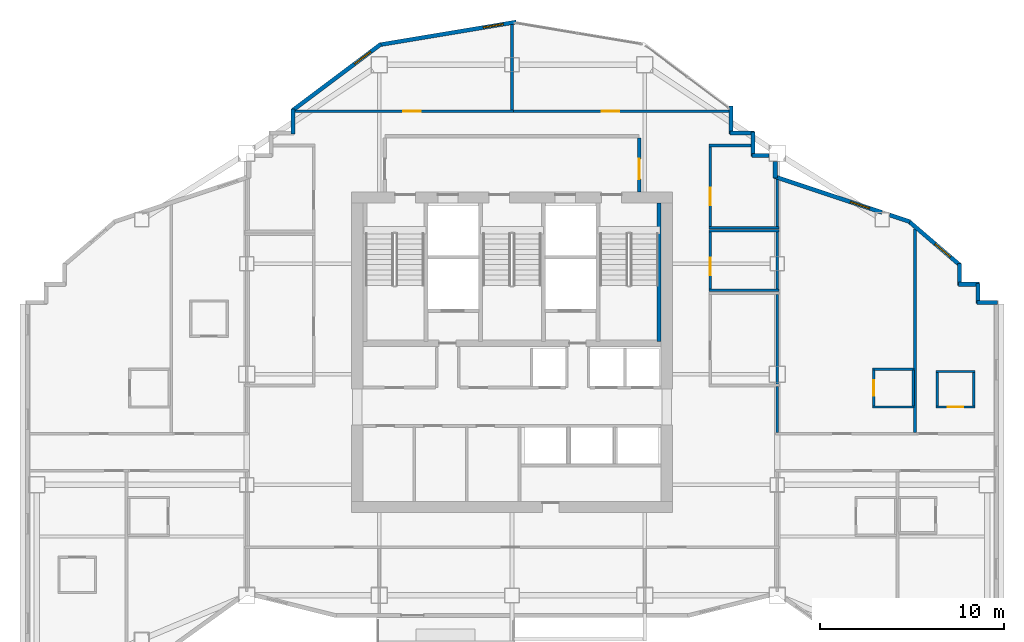
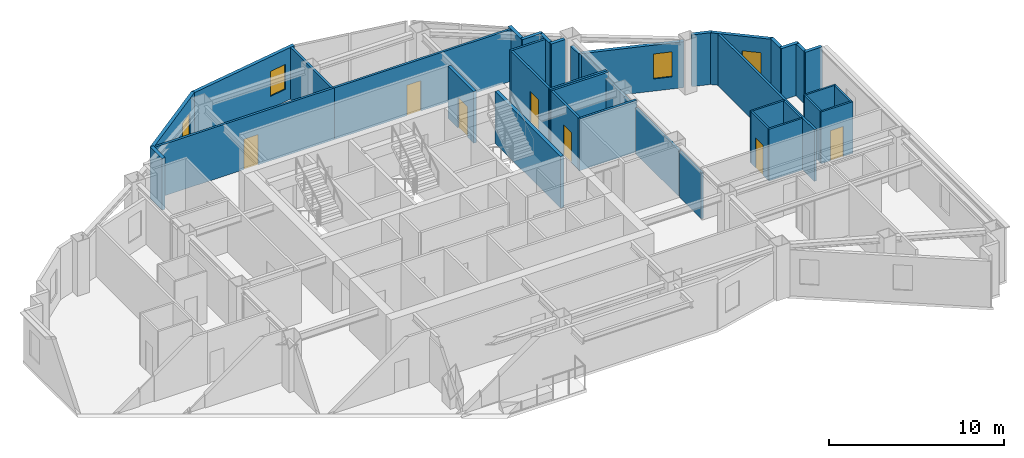
# One storey, part 8 of 12: 39 walls, 7 doors, 4 windows, 11 openings.
"""IFC4 building model written with IfcOpenShell, lengths in metres."""

import ifcopenshell
import ifcopenshell.guid

model = None  # the IFC model being written
_history = None  # IfcOwnerHistory: only IFC2X3 demands one
_inside = {}  # id of a spatial element -> (the spatial element, [elements in it])
_under = {}  # id of a project, library or spatial element -> (it, [spatial elements below it])
_declared = {}  # id of a project -> (the project, [libraries it declares])
_typed = {}  # id of a type object -> (the type object, [elements of that type])
_made_of = {}  # id of a material, layer set ... -> (it, [elements and type objects made of it])


def new_model(schema):
    """Start an empty IFC model of exactly this schema.

    Asked for "IFC4X3", IfcOpenShell would pick the latest addendum, in which some entities
    have other attributes; the version numbers below select the first issue.
    IFC2X3 requires an IfcOwnerHistory on every rooted entity: one is made here for all.
    """
    global model, _history
    if schema == "IFC4X3":
        model = ifcopenshell.file(schema_version=(4, 3, 0, 0))
    else:
        model = ifcopenshell.file(schema=schema)
    _inside.clear()
    _under.clear()
    _declared.clear()
    _typed.clear()
    _made_of.clear()
    _history = None
    if model.schema == "IFC2X3":
        org = make("IfcOrganization", Name="unknown")
        user = make(
            "IfcPersonAndOrganization",
            ThePerson=make("IfcPerson", FamilyName="unknown"),
            TheOrganization=org,
        )
        app = make(
            "IfcApplication",
            ApplicationDeveloper=org,
            Version="unknown",
            ApplicationFullName="unknown",
            ApplicationIdentifier="unknown",
        )
        _history = make(
            "IfcOwnerHistory",
            OwningUser=user,
            OwningApplication=app,
            ChangeAction="ADDED",
            CreationDate=0,
        )
    return model


def make(cls, **values):
    """One entity of the class cls with the attributes given. An attribute that is None is left unset."""
    return model.create_entity(
        cls, **{name: value for name, value in values.items() if value is not None}
    )


def rooted(cls, **values):
    """An entity with a GlobalId (a new one), such as an element, a storey or a relation."""
    return make(cls, GlobalId=ifcopenshell.guid.new(), OwnerHistory=_history, **values)


def si_unit(unit_type, name, prefix=None):
    """IfcSIUnit, for example si_unit("LENGTHUNIT", "METRE", prefix="MILLI")."""
    return make("IfcSIUnit", UnitType=unit_type, Prefix=prefix, Name=name)


def assignment(units):
    """IfcUnitAssignment: the units of a project."""
    return None if units is None else make("IfcUnitAssignment", Units=units)


def point(xyz):
    """IfcCartesianPoint."""
    return None if xyz is None else make("IfcCartesianPoint", Coordinates=xyz)


def direction(xyz):
    """IfcDirection."""
    return None if xyz is None else make("IfcDirection", DirectionRatios=xyz)


def frame(location, z_axis=None, x_axis=None):
    """IfcAxis2Placement3D, a coordinate frame: its origin and axes. An axis left out is left unset."""
    return make(
        "IfcAxis2Placement3D",
        Location=point(location),
        Axis=direction(z_axis),
        RefDirection=direction(x_axis),
    )


def frame_2d(location, x_axis=None):
    """IfcAxis2Placement2D, a coordinate frame in the plane: its origin and x axis."""
    return make(
        "IfcAxis2Placement2D", Location=point(location), RefDirection=direction(x_axis)
    )


def origin():
    """The frame at (0, 0, 0) with its axes left unset."""
    return frame((0.0, 0.0, 0.0))


def place(relative_to, where):
    """IfcLocalPlacement: puts the frame where relative to a parent placement (None: the world)."""
    return make(
        "IfcLocalPlacement", PlacementRelTo=relative_to, RelativePlacement=where
    )


def context(
    kind, dimensions, precision=None, world=None, true_north=None, identifier=None
):
    """IfcGeometricRepresentationContext, for example the 3D "Model" context."""
    return make(
        "IfcGeometricRepresentationContext",
        ContextIdentifier=identifier,
        ContextType=kind,
        CoordinateSpaceDimension=dimensions,
        Precision=precision,
        WorldCoordinateSystem=world,
        TrueNorth=true_north,
    )


def subcontext(parent, identifier, kind, view, scale=None):
    """IfcGeometricRepresentationSubContext, for example "Body" below "Model"."""
    return make(
        "IfcGeometricRepresentationSubContext",
        ContextIdentifier=identifier,
        ContextType=kind,
        ParentContext=parent,
        TargetScale=scale,
        TargetView=view,
    )


def project(units=None, contexts=None):
    """IfcProject with its units and contexts."""
    return rooted(
        "IfcProject",
        Name="project",
        RepresentationContexts=contexts,
        UnitsInContext=assignment(units),
    )


def spatial(cls, under=None, at=None, **own):
    """A site, building, storey or space (cls), placed at a placement, below another one or the project."""
    s = rooted(cls, ObjectPlacement=at, **own)
    if under is not None:
        _under.setdefault(under.id(), (under, []))[1].append(s)
    return s


def profile(cls, at=None, kind="AREA", **sizes):
    """A parametric profile (cls). Its sizes go by their IFC names, for example OverallWidth=200.0."""
    return make(cls, ProfileType=kind, Position=at, **sizes)


def rectangle(**sizes):
    """IfcRectangleProfileDef."""
    return profile("IfcRectangleProfileDef", **sizes)


def extrude(swept, where, along, depth):
    """IfcExtrudedAreaSolid: the profile swept, set in the frame where, extruded along a direction by depth."""
    return make(
        "IfcExtrudedAreaSolid",
        SweptArea=swept,
        Position=where,
        ExtrudedDirection=direction(along),
        Depth=depth,
    )


def shape(context_of_items, identifier, shape_type, items):
    """IfcShapeRepresentation: the items that make up one representation, for example the "Body"."""
    return make(
        "IfcShapeRepresentation",
        ContextOfItems=context_of_items,
        RepresentationIdentifier=identifier,
        RepresentationType=shape_type,
        Items=items,
    )


def material(Name=None, Category=None):
    """IfcMaterial."""
    return make("IfcMaterial", Name=Name, Category=Category)


def layer(
    of_material, thickness, ventilated=None, Name=None, Category=None, Priority=None
):
    """IfcMaterialLayer: one layer of a wall or slab, of a material (None: an air gap)."""
    return make(
        "IfcMaterialLayer",
        Material=of_material,
        LayerThickness=thickness,
        IsVentilated=ventilated,
        Name=Name,
        Category=Category,
        Priority=Priority,
    )


def layer_set(layers, Name=None):
    """IfcMaterialLayerSet."""
    return make("IfcMaterialLayerSet", MaterialLayers=layers, LayerSetName=Name)


def made_of(thing, what):
    """Note that an element or type object is made of a material, layer set ...; save() writes the relation."""
    if what is not None:
        _made_of.setdefault(what.id(), (what, []))[1].append(thing)
    return thing


def type_object(cls, material=None, **own):
    """A type object (cls), such as IfcWallType, which elements share."""
    return made_of(rooted(cls, **own), material)


def element(
    cls,
    number,
    at=None,
    inside=None,
    cuts=None,
    type_object=None,
    material=None,
    context=None,
    identifier="Body",
    shape_type=None,
    held_by="IfcProductDefinitionShape",
    body=None,
    shapes=None,
    **own,
):
    """One element of the class cls, such as IfcWall. Its Tag is "e" and its number.

    at: its placement. inside: the storey or other place that contains it. cuts: it is an
    opening in that element (IfcRelVoidsElement). A single representation is given by context,
    identifier, shape_type and body (its items); several are given by shapes. held_by: the class
    of the entity that holds the representations. save() writes the other relations.
    """
    e = rooted(cls, Tag="e%d" % number, ObjectPlacement=at, **own)
    if body is not None:
        shapes = [shape(context, identifier, shape_type, body)]
    if shapes is not None:
        e.Representation = make(held_by, Representations=shapes)
    if inside is not None:
        _inside.setdefault(inside.id(), (inside, []))[1].append(e)
    if cuts is not None:
        rooted(
            "IfcRelVoidsElement", RelatingBuildingElement=cuts, RelatedOpeningElement=e
        )
    if type_object is not None:
        _typed.setdefault(type_object.id(), (type_object, []))[1].append(e)
    return made_of(e, material)


def fill(opening, filler):
    """IfcRelFillsElement: the door or window that sits in an opening."""
    return rooted(
        "IfcRelFillsElement",
        RelatingOpeningElement=opening,
        RelatedBuildingElement=filler,
    )


def aggregate(whole, parts):
    """IfcRelAggregates: a whole, such as a stair, and the parts it consists of."""
    return rooted("IfcRelAggregates", RelatingObject=whole, RelatedObjects=parts)


def save(model, path):
    """Write the relations noted so far, then the file.

    IfcRelAggregates (storeys below a building ...), IfcRelContainedInSpatialStructure (elements
    in a storey), IfcRelDefinesByType, IfcRelAssociatesMaterial and IfcRelDeclares: one each for
    every whole, place, type object, material and project.
    """
    for whole, parts in _under.values():
        aggregate(whole, parts)
    for where, things in _inside.values():
        rooted(
            "IfcRelContainedInSpatialStructure",
            RelatedElements=things,
            RelatingStructure=where,
        )
    for kind, things in _typed.values():
        rooted("IfcRelDefinesByType", RelatedObjects=things, RelatingType=kind)
    for what, things in _made_of.values():
        rooted("IfcRelAssociatesMaterial", RelatedObjects=things, RelatingMaterial=what)
    for by, libraries in _declared.values():
        rooted("IfcRelDeclares", RelatingContext=by, RelatedDefinitions=libraries)
    model.write(path)


model = new_model("IFC4")

# Units and contexts
model_context = context("Model", 3, precision=1e-05, world=origin(), true_north=direction((0.0, 1.0)))
body_context = subcontext(model_context, "Body", "Model", "MODEL_VIEW")
ifc_project = project(units=[si_unit("LENGTHUNIT", "METRE"), si_unit("AREAUNIT", "SQUARE_METRE"), si_unit("VOLUMEUNIT", "CUBIC_METRE"), si_unit("PLANEANGLEUNIT", "RADIAN"), si_unit("MASSUNIT", "GRAM", prefix="KILO")], contexts=[model_context])

# Site, building, storey
site_placement = place(None, origin())
site = spatial("IfcSite", under=ifc_project, at=site_placement, CompositionType="ELEMENT")
building_placement = place(site_placement, origin())
building = spatial("IfcBuilding", under=site, at=building_placement, Name="Haolan Belvedere Tower", CompositionType="ELEMENT")
storey_placement = place(building_placement, frame((0.0, 0.0, 184.199951171875)))
storey = spatial("IfcBuildingStorey", under=building, at=storey_placement, Name="L46", CompositionType="ELEMENT", Elevation=184.199951171875)

# Walls
ifc_material_1 = material(Name="Precast concrete C40/50", Category="concrete")
ifc_layer_1 = layer(ifc_material_1, 0.219970703125, Name="Precast concrete C40/50")
ifc_layer_set_1 = layer_set([ifc_layer_1], Name="Precast concrete C40/50")
wall_type_1 = type_object("IfcWallType", Name="WL-EXT-220", PredefinedType="SOLIDWALL", material=ifc_layer_set_1)
wall_1_placement = place(storey_placement, frame((64.7451171875, 37.489990234375, 0.0), z_axis=(0.0, 0.0, 1.0), x_axis=(-1.0, 0.0, 0.0)))
element("IfcWall", 1, at=wall_1_placement, inside=storey, type_object=wall_type_1, Name="L46 pale-metal exterior spandrel wall 9.1", PredefinedType="SOLIDWALL", context=body_context, shape_type="SweptSolid", body=[
    extrude(rectangle(XDim=1.110107421875, YDim=0.219970703125, at=frame_2d((0.55517578125, 0.0))), origin(), (0.0, 0.0, 1.0), 3.6201171875),
])
wall_2_placement = place(storey_placement, frame((63.68994140625, 37.43505859375, 0.0), z_axis=(0.0, 0.0, 1.0), x_axis=(0.0, 1.0, 0.0)))
element("IfcWall", 2, at=wall_2_placement, inside=storey, type_object=wall_type_1, Name="L46 pale-metal exterior spandrel wall 10.1", PredefinedType="SOLIDWALL", context=body_context, shape_type="SweptSolid", body=[
    extrude(rectangle(XDim=1.10986328125, YDim=0.219970703125, at=frame_2d((0.554931640625, 0.0))), origin(), (0.0, 0.0, 1.0), 3.6201171875),
])
wall_3_placement = place(storey_placement, frame((63.7451171875, 38.489990234375, 0.0), z_axis=(0.0, 0.0, 1.0), x_axis=(-1.0, 0.0, 0.0)))
element("IfcWall", 3, at=wall_3_placement, inside=storey, type_object=wall_type_1, Name="L46 pale-metal exterior spandrel wall 11.1", PredefinedType="SOLIDWALL", context=body_context, shape_type="SweptSolid", body=[
    extrude(rectangle(XDim=1.110107421875, YDim=0.219970703125, at=frame_2d((0.55517578125, 0.0))), origin(), (0.0, 0.0, 1.0), 3.6201171875),
])
wall_4_placement = place(storey_placement, frame((62.68994140625, 38.43505859375, 0.0), z_axis=(0.0, 0.0, 1.0), x_axis=(0.0, 1.0, 0.0)))
element("IfcWall", 4, at=wall_4_placement, inside=storey, type_object=wall_type_1, Name="L46 pale-metal exterior spandrel wall 12.1", PredefinedType="SOLIDWALL", context=body_context, shape_type="SweptSolid", body=[
    extrude(rectangle(XDim=1.16943359375, YDim=0.219970703125, at=frame_2d((0.584716796875, 0.0))), origin(), (0.0, 0.0, 1.0), 3.6201171875),
])

# Wall, opening, window
wall_5_placement = place(storey_placement, frame((62.731689453125, 39.513671875, 0.0), z_axis=(0.0, 0.0, 1.0), x_axis=(-0.759251976569, 0.65079677018, 0.0)))
wall_5 = element("IfcWall", 5, at=wall_5_placement, inside=storey, type_object=wall_type_1, Name="L46 pale-metal exterior spandrel wall 13.1", PredefinedType="SOLIDWALL", context=body_context, shape_type="SweptSolid", body=[
    extrude(rectangle(XDim=3.7255859375, YDim=0.219970703125, at=frame_2d((1.86279296875, 0.0))), origin(), (0.0, 0.0, 1.0), 3.6201171875),
])
opening_1_placement = place(wall_5_placement, frame((0.699951171875, 0.0, 0.85009765625)))
opening_1 = element("IfcOpeningElement", 6, at=opening_1_placement, cuts=wall_5, Name="Opening W-03", PredefinedType="OPENING", context=body_context, shape_type="SweptSolid", body=[
    extrude(rectangle(XDim=1.10009765625, YDim=1.75, at=frame_2d((0.550048828125, 0.875))), frame((0.0, 0.119873046875, 0.0), z_axis=(0.0, -1.0, 0.0), x_axis=(1.0, 0.0, 0.0)), (0.0, 0.0, 1.0), 0.239990234375),
])
ifc_material_2 = material(Name="Anodised aluminium 6063-T6 and Low-E glass", Category="aluminium")
window_type = type_object("IfcWindowType", Name="WN-DECO-Z3", PartitioningType="SINGLE_PANEL", PredefinedType="WINDOW", material=ifc_material_2)
window_1_placement = place(opening_1_placement, origin())
window_1 = element("IfcWindow", 7, at=window_1_placement, inside=storey, type_object=window_type, Name="L46 Art Deco chevron window 1", OverallHeight=1.75, OverallWidth=1.10009765625, PartitioningType="SINGLE_PANEL", PredefinedType="WINDOW", context=body_context, shape_type="SweptSolid", body=[
    extrude(rectangle(XDim=1.10009765625, YDim=1.75, at=frame_2d((0.550048828125, 0.875))), frame((0.0, 0.030029296875, 0.0), z_axis=(0.0, -1.0, 0.0), x_axis=(1.0, 0.0, 0.0)), (0.0, 0.0, 1.0), 0.06005859375),
])
fill(opening_1, window_1)

# Wall
wall_6_placement = place(storey_placement, frame((59.9970703125, 41.885009765625, 0.0), z_axis=(0.0, 0.0, 1.0), x_axis=(-0.948662335685, 0.316290646166, 0.0)))
element("IfcWall", 8, at=wall_6_placement, inside=storey, type_object=wall_type_1, Name="L46 pale-metal exterior spandrel wall 14.1", PredefinedType="SOLIDWALL", context=body_context, shape_type="SweptSolid", body=[
    extrude(rectangle(XDim=1.164794921875, YDim=0.219970703125, at=frame_2d((0.58251953125, 0.0))), origin(), (0.0, 0.0, 1.0), 3.6201171875),
])

# Wall, opening, window
wall_7_placement = place(storey_placement, frame((58.476318359375, 42.39208984375, 0.0), z_axis=(0.0, 0.0, 1.0), x_axis=(-0.948691231611, 0.316203964339, 0.0)))
wall_7 = element("IfcWall", 9, at=wall_7_placement, inside=storey, type_object=wall_type_1, Name="L46 pale-metal exterior spandrel wall 14.2", PredefinedType="SOLIDWALL", context=body_context, shape_type="SweptSolid", body=[
    extrude(rectangle(XDim=6.154296875, YDim=0.219970703125, at=frame_2d((3.0771484375, 0.0))), origin(), (0.0, 0.0, 1.0), 3.215087890625),
])
opening_2_placement = place(wall_7_placement, frame((0.699951171875, 0.0, 0.85009765625)))
opening_2 = element("IfcOpeningElement", 10, at=opening_2_placement, cuts=wall_7, Name="Opening W-03", PredefinedType="OPENING", context=body_context, shape_type="SweptSolid", body=[
    extrude(rectangle(XDim=1.10009765625, YDim=1.75, at=frame_2d((0.550048828125, 0.875))), frame((0.0, 0.119873046875, 0.0), z_axis=(0.0, -1.0, 0.0), x_axis=(1.0, 0.0, 0.0)), (0.0, 0.0, 1.0), 0.239990234375),
])
window_2_placement = place(opening_2_placement, origin())
window_2 = element("IfcWindow", 11, at=window_2_placement, inside=storey, type_object=window_type, Name="L46 Art Deco chevron window 1", OverallHeight=1.75, OverallWidth=1.10009765625, PartitioningType="SINGLE_PANEL", PredefinedType="WINDOW", context=body_context, shape_type="SweptSolid", body=[
    extrude(rectangle(XDim=1.10009765625, YDim=1.75, at=frame_2d((0.550048828125, 0.875))), frame((0.0, 0.030029296875, 0.0), z_axis=(0.0, -1.0, 0.0), x_axis=(1.0, 0.0, 0.0)), (0.0, 0.0, 1.0), 0.06005859375),
])
fill(opening_2, window_2)

# Walls
wall_8_placement = place(storey_placement, frame((52.68994140625, 44.265625, 0.0), z_axis=(0.0, 0.0, 1.0), x_axis=(0.0, 1.0, 0.0)))
element("IfcWall", 12, at=wall_8_placement, inside=storey, type_object=wall_type_1, Name="L46 pale-metal exterior spandrel wall 15.1", PredefinedType="SOLIDWALL", context=body_context, shape_type="SweptSolid", body=[
    extrude(rectangle(XDim=0.892333984375, YDim=0.219970703125, at=frame_2d((0.4462890625, 0.0))), origin(), (0.0, 0.0, 1.0), 3.215087890625),
])
wall_9_placement = place(storey_placement, frame((52.35791015625, 45.489990234375, 0.0), z_axis=(0.0, 0.0, 1.0), x_axis=(-1.0, 0.0, 0.0)))
element("IfcWall", 13, at=wall_9_placement, inside=storey, type_object=wall_type_1, Name="L46 pale-metal exterior spandrel wall 16.1", PredefinedType="SOLIDWALL", context=body_context, shape_type="SweptSolid", body=[
    extrude(rectangle(XDim=0.9228515625, YDim=0.219970703125, at=frame_2d((0.46142578125, 0.0))), origin(), (0.0, 0.0, 1.0), 3.6201171875),
])
wall_10_placement = place(storey_placement, frame((51.489990234375, 45.43505859375, 0.0), z_axis=(0.0, 0.0, 1.0), x_axis=(0.0, 1.0, 0.0)))
element("IfcWall", 14, at=wall_10_placement, inside=storey, type_object=wall_type_1, Name="L46 pale-metal exterior spandrel wall 17.1", PredefinedType="SOLIDWALL", context=body_context, shape_type="SweptSolid", body=[
    extrude(rectangle(XDim=1.31005859375, YDim=0.219970703125, at=frame_2d((0.655029296875, 0.0))), origin(), (0.0, 0.0, 1.0), 3.6201171875),
])
wall_11_placement = place(storey_placement, frame((51.544921875, 46.68994140625, 0.0), z_axis=(0.0, 0.0, 1.0), x_axis=(-1.0, 0.0, 0.0)))
element("IfcWall", 15, at=wall_11_placement, inside=storey, type_object=wall_type_1, Name="L46 pale-metal exterior spandrel wall 18.1", PredefinedType="SOLIDWALL", context=body_context, shape_type="SweptSolid", body=[
    extrude(rectangle(XDim=1.309814453125, YDim=0.219970703125, at=frame_2d((0.65478515625, 0.0))), origin(), (0.0, 0.0, 1.0), 3.6201171875),
])
wall_12_placement = place(storey_placement, frame((50.2900390625, 46.635009765625, 0.0), z_axis=(0.0, 0.0, 1.0), x_axis=(0.0, 1.0, 0.0)))
element("IfcWall", 16, at=wall_12_placement, inside=storey, type_object=wall_type_1, Name="L46 pale-metal exterior spandrel wall 19.1", PredefinedType="SOLIDWALL", context=body_context, shape_type="SweptSolid", body=[
    extrude(rectangle(XDim=1.534912109375, YDim=0.219970703125, at=frame_2d((0.767578125, 0.0))), origin(), (0.0, 0.0, 1.0), 3.6201171875),
])

# Wall, opening, window
wall_13_placement = place(storey_placement, frame((38.621826171875, 52.7255859375, 0.0), z_axis=(0.0, 0.0, 1.0), x_axis=(-0.986390420428, -0.164420006349, 0.0)))
wall_13 = element("IfcWall", 17, at=wall_13_placement, inside=storey, type_object=wall_type_1, Name="L46 pale-metal exterior spandrel wall 22.1", PredefinedType="SOLIDWALL", context=body_context, shape_type="SweptSolid", body=[
    extrude(rectangle(XDim=7.5341796875, YDim=0.219970703125, at=frame_2d((3.76708984375, 0.0))), origin(), (0.0, 0.0, 1.0), 3.6201171875),
])
opening_3_placement = place(wall_13_placement, frame((0.699951171875, 0.0, 0.85009765625)))
opening_3 = element("IfcOpeningElement", 18, at=opening_3_placement, cuts=wall_13, Name="Opening W-03", PredefinedType="OPENING", context=body_context, shape_type="SweptSolid", body=[
    extrude(rectangle(XDim=1.10009765625, YDim=1.75, at=frame_2d((0.550048828125, 0.875))), frame((0.0, 0.119873046875, 0.0), z_axis=(0.0, -1.0, 0.0), x_axis=(1.0, 0.0, 0.0)), (0.0, 0.0, 1.0), 0.239990234375),
])
window_3_placement = place(opening_3_placement, origin())
window_3 = element("IfcWindow", 19, at=window_3_placement, inside=storey, type_object=window_type, Name="L46 Art Deco chevron window 1", OverallHeight=1.75, OverallWidth=1.10009765625, PartitioningType="SINGLE_PANEL", PredefinedType="WINDOW", context=body_context, shape_type="SweptSolid", body=[
    extrude(rectangle(XDim=1.10009765625, YDim=1.75, at=frame_2d((0.550048828125, 0.875))), frame((0.0, 0.030029296875, 0.0), z_axis=(0.0, -1.0, 0.0), x_axis=(1.0, 0.0, 0.0)), (0.0, 0.0, 1.0), 0.06005859375),
])
fill(opening_3, window_3)

wall_14_placement = place(storey_placement, frame((31.28857421875, 51.52880859375, 0.0), z_axis=(0.0, 0.0, 1.0), x_axis=(-0.800014580093, -0.599980559383, 0.0)))
wall_14 = element("IfcWall", 20, at=wall_14_placement, inside=storey, type_object=wall_type_1, Name="L46 pale-metal exterior spandrel wall 23.1", PredefinedType="SOLIDWALL", context=body_context, shape_type="SweptSolid", body=[
    extrude(rectangle(XDim=6.028076171875, YDim=0.219970703125, at=frame_2d((3.01416015625, 0.0))), origin(), (0.0, 0.0, 1.0), 3.6201171875),
])
opening_4_placement = place(wall_14_placement, frame((0.699951171875, 0.0, 0.85009765625)))
opening_4 = element("IfcOpeningElement", 21, at=opening_4_placement, cuts=wall_14, Name="Opening W-03", PredefinedType="OPENING", context=body_context, shape_type="SweptSolid", body=[
    extrude(rectangle(XDim=1.10009765625, YDim=1.75, at=frame_2d((0.550048828125, 0.875))), frame((0.0, 0.119873046875, 0.0), z_axis=(0.0, -1.0, 0.0), x_axis=(1.0, 0.0, 0.0)), (0.0, 0.0, 1.0), 0.239990234375),
])
window_4_placement = place(opening_4_placement, origin())
window_4 = element("IfcWindow", 22, at=window_4_placement, inside=storey, type_object=window_type, Name="L46 Art Deco chevron window 1", OverallHeight=1.75, OverallWidth=1.10009765625, PartitioningType="SINGLE_PANEL", PredefinedType="WINDOW", context=body_context, shape_type="SweptSolid", body=[
    extrude(rectangle(XDim=1.10009765625, YDim=1.75, at=frame_2d((0.550048828125, 0.875))), frame((0.0, 0.030029296875, 0.0), z_axis=(0.0, -1.0, 0.0), x_axis=(1.0, 0.0, 0.0)), (0.0, 0.0, 1.0), 0.06005859375),
])
fill(opening_4, window_4)

# Wall
wall_15_placement = place(storey_placement, frame((26.510009765625, 48.0, 0.0), z_axis=(0.0, 0.0, 1.0), x_axis=(0.0, -1.0, 0.0)))
element("IfcWall", 23, at=wall_15_placement, inside=storey, type_object=wall_type_1, Name="L46 pale-metal exterior spandrel wall 24.1", PredefinedType="SOLIDWALL", context=body_context, shape_type="SweptSolid", body=[
    extrude(rectangle(XDim=1.364990234375, YDim=0.219970703125, at=frame_2d((0.6826171875, 0.0))), origin(), (0.0, 0.0, 1.0), 3.6201171875),
])

# Wall, opening, door
ifc_material_3 = material(Name="Concrete C40/50", Category="concrete")
ifc_layer_2 = layer(ifc_material_3, 0.199951171875, Name="Concrete C40/50")
ifc_layer_set_2 = layer_set([ifc_layer_2], Name="Concrete C40/50")
wall_type_2 = type_object("IfcWallType", Name="WL-FIRE-200", PredefinedType="SOLIDWALL", material=ifc_layer_set_2)
wall_16_placement = place(storey_placement, frame((45.300048828125, 43.5, 0.0), z_axis=(0.0, 0.0, 1.0), x_axis=(0.0, 1.0, 0.0)))
wall_16 = element("IfcWall", 24, at=wall_16_placement, inside=storey, type_object=wall_type_2, Name="L46 interior partition IW-L46-FFL-E", PredefinedType="SOLIDWALL", context=body_context, shape_type="SweptSolid", body=[
    extrude(rectangle(XDim=2.93505859375, YDim=0.199951171875, at=frame_2d((1.467529296875, 0.0))), origin(), (0.0, 0.0, 1.0), 3.6201171875),
])
opening_5_placement = place(wall_16_placement, frame((0.699951171875, 0.0, 0.0)))
opening_5 = element("IfcOpeningElement", 25, at=opening_5_placement, cuts=wall_16, Name="Opening FD-03", PredefinedType="OPENING", context=body_context, shape_type="SweptSolid", body=[
    extrude(rectangle(XDim=1.10009765625, YDim=2.14990234375, at=frame_2d((0.550048828125, 1.074951171875))), frame((0.0, 0.10986328125, 0.0), z_axis=(0.0, -1.0, 0.0), x_axis=(1.0, 0.0, 0.0)), (0.0, 0.0, 1.0), 0.219970703125),
])
ifc_material_4 = material(Name="Galvanised fire-rated steel", Category="steel")
door_type_1 = type_object("IfcDoorType", Name="DR-FD90-1100", OperationType="NOTDEFINED", PredefinedType="DOOR", material=ifc_material_4)
door_1_placement = place(opening_5_placement, origin())
door_1 = element("IfcDoor", 26, at=door_1_placement, inside=storey, type_object=door_type_1, Name="L46 door ID-L46-FFL-DE", OperationType="SINGLE_SWING_RIGHT", OverallHeight=2.14990234375, OverallWidth=1.10009765625, PredefinedType="DOOR", context=body_context, shape_type="SweptSolid", body=[
    extrude(rectangle(XDim=1.10009765625, YDim=2.14990234375, at=frame_2d((0.550048828125, 1.074951171875))), frame((0.0, 0.02490234375, 0.0), z_axis=(0.0, -1.0, 0.0), x_axis=(1.0, 0.0, 0.0)), (0.0, 0.0, 1.0), 0.050048828125),
])
fill(opening_5, door_1)

# Walls
ifc_material_5 = material(Name="Double gypsum acoustic stud partition", Category="masonry")
ifc_layer_3 = layer(ifc_material_5, 0.14990234375, Name="Double gypsum acoustic stud partition")
ifc_layer_set_3 = layer_set([ifc_layer_3], Name="Double gypsum acoustic stud partition")
wall_type_3 = type_object("IfcWallType", Name="WL-PART-150", PredefinedType="PARTITIONING", material=ifc_layer_set_3)
wall_17_placement = place(storey_placement, frame((52.800048828125, 33.06005859375, 0.0), z_axis=(0.0, 0.0, 1.0), x_axis=(0.0, 1.0, 0.0)))
element("IfcWall", 27, at=wall_17_placement, inside=storey, type_object=wall_type_3, Name="L46 interior partition IW-L46-BPN-E", PredefinedType="PARTITIONING", context=body_context, shape_type="SweptSolid", body=[
    extrude(rectangle(XDim=4.8798828125, YDim=0.14990234375, at=frame_2d((2.43994140625, 0.0))), origin(), (0.0, 0.0, 1.0), 3.215087890625),
])
for number, where, z_axis, x_axis, name in (
    (28, (49.080078125, 41.39990234375, 0.0), (0.0, 0.0, 1.0), (1.0, 0.0, 0.0), "L46 interior partition IW-L46-AWC-N"),
    (29, (49.080078125, 38.159912109375, 0.0), (0.0, 0.0, 1.0), (1.0, 0.0, 0.0), "L46 interior partition IW-L46-AWC-S"),
):
    element("IfcWall", number, at=place(storey_placement, frame(where, z_axis=z_axis, x_axis=x_axis)), inside=storey, type_object=wall_type_3, Name=name, PredefinedType="PARTITIONING", context=body_context, shape_type="SweptSolid", body=[
        extrude(rectangle(XDim=3.7998046875, YDim=0.14990234375, at=frame_2d((1.89990234375, 0.0))), origin(), (0.0, 0.0, 1.0), 3.6201171875),
    ])

# Wall, opening, door
wall_18_placement = place(storey_placement, frame((49.159912109375, 38.219970703125, 0.0), z_axis=(0.0, 0.0, 1.0), x_axis=(0.0, 1.0, 0.0)))
wall_18 = element("IfcWall", 30, at=wall_18_placement, inside=storey, type_object=wall_type_3, Name="L46 interior partition IW-L46-AWC-W", PredefinedType="PARTITIONING", context=body_context, shape_type="SweptSolid", body=[
    extrude(rectangle(XDim=3.1201171875, YDim=0.14990234375, at=frame_2d((1.56005859375, 0.0))), origin(), (0.0, 0.0, 1.0), 3.6201171875),
])
opening_6_placement = place(wall_18_placement, frame((0.760009765625, 0.0, 0.0)))
opening_6 = element("IfcOpeningElement", 31, at=opening_6_placement, cuts=wall_18, Name="Opening ID-03", PredefinedType="OPENING", context=body_context, shape_type="SweptSolid", body=[
    extrude(rectangle(XDim=0.949951171875, YDim=2.1201171875, at=frame_2d((0.47509765625, 1.06005859375))), frame((0.0, 0.0849609375, 0.0), z_axis=(0.0, -1.0, 0.0), x_axis=(1.0, 0.0, 0.0)), (0.0, 0.0, 1.0), 0.169921875),
])
ifc_material_6 = material(Name="Painted solid-core timber", Category="wood")
door_type_2 = type_object("IfcDoorType", Name="DR-INT-950", OperationType="NOTDEFINED", PredefinedType="DOOR", material=ifc_material_6)
door_2_placement = place(opening_6_placement, origin())
door_2 = element("IfcDoor", 32, at=door_2_placement, inside=storey, type_object=door_type_2, Name="L46 door ID-L46-AWC", OperationType="SINGLE_SWING_LEFT", OverallHeight=2.1201171875, OverallWidth=0.949951171875, PredefinedType="DOOR", context=body_context, shape_type="SweptSolid", body=[
    extrude(rectangle(XDim=0.949951171875, YDim=2.1201171875, at=frame_2d((0.47509765625, 1.06005859375))), frame((0.0, 0.02490234375, 0.0), z_axis=(0.0, -1.0, 0.0), x_axis=(1.0, 0.0, 0.0)), (0.0, 0.0, 1.0), 0.050048828125),
])
fill(opening_6, door_2)

# Walls
wall_19_placement = place(storey_placement, frame((52.800048828125, 38.219970703125, 0.0), z_axis=(0.0, 0.0, 1.0), x_axis=(0.0, 1.0, 0.0)))
element("IfcWall", 33, at=wall_19_placement, inside=storey, type_object=wall_type_3, Name="L46 interior partition IW-L46-AWC-E", PredefinedType="PARTITIONING", context=body_context, shape_type="SweptSolid", body=[
    extrude(rectangle(XDim=3.1201171875, YDim=0.14990234375, at=frame_2d((1.56005859375, 0.0))), origin(), (0.0, 0.0, 1.0), 3.215087890625),
])
wall_20_placement = place(storey_placement, frame((49.080078125, 46.02001953125, 0.0), z_axis=(0.0, 0.0, 1.0), x_axis=(1.0, 0.0, 0.0)))
element("IfcWall", 34, at=wall_20_placement, inside=storey, type_object=wall_type_3, Name="L46 interior partition IW-L46-CLN-N", PredefinedType="PARTITIONING", context=body_context, shape_type="SweptSolid", body=[
    extrude(rectangle(XDim=2.307861328125, YDim=0.14990234375, at=frame_2d((1.15380859375, 0.0))), origin(), (0.0, 0.0, 1.0), 3.6201171875),
])
wall_21_placement = place(storey_placement, frame((49.080078125, 41.56005859375, 0.0), z_axis=(0.0, 0.0, 1.0), x_axis=(1.0, 0.0, 0.0)))
element("IfcWall", 35, at=wall_21_placement, inside=storey, type_object=wall_type_3, Name="L46 interior partition IW-L46-CLN-S", PredefinedType="PARTITIONING", context=body_context, shape_type="SweptSolid", body=[
    extrude(rectangle(XDim=3.7998046875, YDim=0.14990234375, at=frame_2d((1.89990234375, 0.0))), origin(), (0.0, 0.0, 1.0), 3.6201171875),
])

# Wall, opening, door
wall_22_placement = place(storey_placement, frame((49.159912109375, 41.6201171875, 0.0), z_axis=(0.0, 0.0, 1.0), x_axis=(0.0, 1.0, 0.0)))
wall_22 = element("IfcWall", 36, at=wall_22_placement, inside=storey, type_object=wall_type_3, Name="L46 interior partition IW-L46-CLN-W", PredefinedType="PARTITIONING", context=body_context, shape_type="SweptSolid", body=[
    extrude(rectangle(XDim=4.33984375, YDim=0.14990234375, at=frame_2d((2.169921875, 0.0))), origin(), (0.0, 0.0, 1.0), 3.6201171875),
])
opening_7_placement = place(wall_22_placement, frame((1.159912109375, 0.0, 0.0)))
opening_7 = element("IfcOpeningElement", 37, at=opening_7_placement, cuts=wall_22, Name="Opening ID-03", PredefinedType="OPENING", context=body_context, shape_type="SweptSolid", body=[
    extrude(rectangle(XDim=0.949951171875, YDim=2.1201171875, at=frame_2d((0.47509765625, 1.06005859375))), frame((0.0, 0.0849609375, 0.0), z_axis=(0.0, -1.0, 0.0), x_axis=(1.0, 0.0, 0.0)), (0.0, 0.0, 1.0), 0.169921875),
])
door_3_placement = place(opening_7_placement, origin())
door_3 = element("IfcDoor", 38, at=door_3_placement, inside=storey, type_object=door_type_2, Name="L46 door ID-L46-CLN", OperationType="SINGLE_SWING_RIGHT", OverallHeight=2.1201171875, OverallWidth=0.949951171875, PredefinedType="DOOR", context=body_context, shape_type="SweptSolid", body=[
    extrude(rectangle(XDim=0.949951171875, YDim=2.1201171875, at=frame_2d((0.47509765625, 1.06005859375))), frame((0.0, 0.02490234375, 0.0), z_axis=(0.0, -1.0, 0.0), x_axis=(1.0, 0.0, 0.0)), (0.0, 0.0, 1.0), 0.050048828125),
])
fill(opening_7, door_3)

# Wall
wall_23_placement = place(storey_placement, frame((52.800048828125, 41.6201171875, 0.0), z_axis=(0.0, 0.0, 1.0), x_axis=(0.0, 1.0, 0.0)))
element("IfcWall", 39, at=wall_23_placement, inside=storey, type_object=wall_type_3, Name="L46 interior partition IW-L46-CLN-E", PredefinedType="PARTITIONING", context=body_context, shape_type="SweptSolid", body=[
    extrude(rectangle(XDim=2.556396484375, YDim=0.14990234375, at=frame_2d((1.2783203125, 0.0))), origin(), (0.0, 0.0, 1.0), 3.215087890625),
])

# Wall, opening, door
wall_24_placement = place(storey_placement, frame((26.612060546875, 47.8798828125, 0.0), z_axis=(0.0, 0.0, 1.0), x_axis=(1.0, 0.0, 0.0)))
wall_24 = element("IfcWall", 40, at=wall_24_placement, inside=storey, type_object=wall_type_3, Name="L46 interior partition IW-L46-KN1-S", PredefinedType="PARTITIONING", context=body_context, shape_type="SweptSolid", body=[
    extrude(rectangle(XDim=11.867919921875, YDim=0.14990234375, at=frame_2d((5.93408203125, 0.0))), origin(), (0.0, 0.0, 1.0), 3.6201171875),
])
opening_8_placement = place(wall_24_placement, frame((5.883056640625, 0.0, 0.0)))
opening_8 = element("IfcOpeningElement", 41, at=opening_8_placement, cuts=wall_24, Name="Opening ID-03", PredefinedType="OPENING", context=body_context, shape_type="SweptSolid", body=[
    extrude(rectangle(XDim=0.949951171875, YDim=2.1201171875, at=frame_2d((0.47509765625, 1.06005859375))), frame((0.0, 0.0849609375, 0.0), z_axis=(0.0, -1.0, 0.0), x_axis=(1.0, 0.0, 0.0)), (0.0, 0.0, 1.0), 0.169921875),
])
door_4_placement = place(opening_8_placement, origin())
door_4 = element("IfcDoor", 42, at=door_4_placement, inside=storey, type_object=door_type_2, Name="L46 door ID-L46-KN1", OperationType="SINGLE_SWING_LEFT", OverallHeight=2.1201171875, OverallWidth=0.949951171875, PredefinedType="DOOR", context=body_context, shape_type="SweptSolid", body=[
    extrude(rectangle(XDim=0.949951171875, YDim=2.1201171875, at=frame_2d((0.47509765625, 1.06005859375))), frame((0.0, 0.02490234375, 0.0), z_axis=(0.0, -1.0, 0.0), x_axis=(1.0, 0.0, 0.0)), (0.0, 0.0, 1.0), 0.050048828125),
])
fill(opening_8, door_4)

# Wall
wall_25_placement = place(storey_placement, frame((38.39990234375, 47.93994140625, 0.0), z_axis=(0.0, 0.0, 1.0), x_axis=(0.0, 1.0, 0.0)))
element("IfcWall", 43, at=wall_25_placement, inside=storey, type_object=wall_type_3, Name="L46 interior partition IW-L46-KN1-E", PredefinedType="PARTITIONING", context=body_context, shape_type="SweptSolid", body=[
    extrude(rectangle(XDim=4.645263671875, YDim=0.14990234375, at=frame_2d((2.32275390625, 0.0))), origin(), (0.0, 0.0, 1.0), 3.6201171875),
])

# Wall, opening, door
wall_26_placement = place(storey_placement, frame((38.48193359375, 47.8798828125, 0.0), z_axis=(0.0, 0.0, 1.0), x_axis=(1.0, 0.0, 0.0)))
wall_26 = element("IfcWall", 44, at=wall_26_placement, inside=storey, type_object=wall_type_3, Name="L46 interior partition IW-L46-KN2-S", PredefinedType="PARTITIONING", context=body_context, shape_type="SweptSolid", body=[
    extrude(rectangle(XDim=11.7060546875, YDim=0.14990234375, at=frame_2d((5.85302734375, 0.0))), origin(), (0.0, 0.0, 1.0), 3.6201171875),
])
opening_9_placement = place(wall_26_placement, frame((4.79296875, 0.0, 0.0)))
opening_9 = element("IfcOpeningElement", 45, at=opening_9_placement, cuts=wall_26, Name="Opening ID-03", PredefinedType="OPENING", context=body_context, shape_type="SweptSolid", body=[
    extrude(rectangle(XDim=0.949951171875, YDim=2.1201171875, at=frame_2d((0.47509765625, 1.06005859375))), frame((0.0, 0.0849609375, 0.0), z_axis=(0.0, -1.0, 0.0), x_axis=(1.0, 0.0, 0.0)), (0.0, 0.0, 1.0), 0.169921875),
])
door_5_placement = place(opening_9_placement, origin())
door_5 = element("IfcDoor", 46, at=door_5_placement, inside=storey, type_object=door_type_2, Name="L46 door ID-L46-KN2", OperationType="SINGLE_SWING_RIGHT", OverallHeight=2.1201171875, OverallWidth=0.949951171875, PredefinedType="DOOR", context=body_context, shape_type="SweptSolid", body=[
    extrude(rectangle(XDim=0.949951171875, YDim=2.1201171875, at=frame_2d((0.47509765625, 1.06005859375))), frame((0.0, 0.02490234375, 0.0), z_axis=(0.0, -1.0, 0.0), x_axis=(1.0, 0.0, 0.0)), (0.0, 0.0, 1.0), 0.050048828125),
])
fill(opening_9, door_5)

# Walls
wall_27_placement = place(storey_placement, frame((52.800048828125, 30.43994140625, 0.0), z_axis=(0.0, 0.0, 1.0), x_axis=(0.0, 1.0, 0.0)))
element("IfcWall", 47, at=wall_27_placement, inside=storey, type_object=wall_type_3, Name="L46 interior partition IW-L46-T4N1-W", PredefinedType="PARTITIONING", context=body_context, shape_type="SweptSolid", body=[
    extrude(rectangle(XDim=2.5, YDim=0.14990234375, at=frame_2d((1.25, 0.0))), origin(), (0.0, 0.0, 1.0), 3.215087890625),
])
wall_28_placement = place(storey_placement, frame((60.280029296875, 30.43994140625, 0.0), z_axis=(0.0, 0.0, 1.0), x_axis=(0.0, 1.0, 0.0)))
element("IfcWall", 48, at=wall_28_placement, inside=storey, type_object=wall_type_3, Name="L46 interior partition IW-L46-T4N1-E", PredefinedType="PARTITIONING", context=body_context, shape_type="SweptSolid", body=[
    extrude(rectangle(XDim=11.040771484375, YDim=0.14990234375, at=frame_2d((5.5205078125, 0.0))), origin(), (0.0, 0.0, 1.0), 3.6201171875),
])
ifc_material_7 = material(Name="Concrete C50/60", Category="concrete")
ifc_layer_4 = layer(ifc_material_7, 0.219970703125, Name="Concrete C50/60")
ifc_layer_set_4 = layer_set([ifc_layer_4], Name="Concrete C50/60")
wall_type_4 = type_object("IfcWallType", Name="WL-STAIR-220", PredefinedType="SHEAR", material=ifc_layer_set_4)
wall_29_placement = place(storey_placement, frame((46.387939453125, 35.389892578125, 0.0), z_axis=(0.0, 0.0, 1.0), x_axis=(0.0, 1.0, 0.0)))
element("IfcWall", 49, at=wall_29_placement, inside=storey, type_object=wall_type_4, Name="L46 structural stair core wall ST2E", PredefinedType="SHEAR", context=body_context, shape_type="SweptSolid", body=[
    extrude(rectangle(XDim=7.510009765625, YDim=0.219970703125, at=frame_2d((3.7548828125, 0.0))), origin(), (0.0, 0.0, 1.0), 3.6201171875),
])
ifc_material_8 = material(Name="Moisture-resistant gypsum tile partition", Category="masonry")
ifc_layer_5 = layer(ifc_material_8, 0.1201171875, Name="Moisture-resistant gypsum tile partition")
ifc_layer_set_5 = layer_set([ifc_layer_5], Name="Moisture-resistant gypsum tile partition")
wall_type_5 = type_object("IfcWallType", Name="WL-WET-120", PredefinedType="PARTITIONING", material=ifc_layer_set_5)
for number, where, z_axis, x_axis, name in (
    (50, (57.969970703125, 33.8798828125, 0.0), (0.0, 0.0, 1.0), (1.0, 0.0, 0.0), "L46 interior partition IW-L46-T4N1-BN"),
    (51, (57.969970703125, 31.830078125, 0.0), (0.0, 0.0, 1.0), (1.0, 0.0, 0.0), "L46 interior partition IW-L46-T4N1-BS"),
):
    element("IfcWall", number, at=place(storey_placement, frame(where, z_axis=z_axis, x_axis=x_axis)), inside=storey, type_object=wall_type_5, Name=name, PredefinedType="PARTITIONING", context=body_context, shape_type="SweptSolid", body=[
        extrude(rectangle(XDim=2.25, YDim=0.1201171875, at=frame_2d((1.125, 0.0))), origin(), (0.0, 0.0, 1.0), 3.6201171875),
    ])

# Wall, opening, door
wall_30_placement = place(storey_placement, frame((58.030029296875, 31.875, 0.0), z_axis=(0.0, 0.0, 1.0), x_axis=(0.0, 1.0, 0.0)))
wall_30 = element("IfcWall", 52, at=wall_30_placement, inside=storey, type_object=wall_type_5, Name="L46 interior partition IW-L46-T4N1-BW", PredefinedType="PARTITIONING", context=body_context, shape_type="SweptSolid", body=[
    extrude(rectangle(XDim=1.9599609375, YDim=0.1201171875, at=frame_2d((0.97998046875, 0.0))), origin(), (0.0, 0.0, 1.0), 3.6201171875),
])
opening_10_placement = place(wall_30_placement, frame((1.405029296875, 0.0, 0.0), z_axis=(0.0, 0.0, 1.0), x_axis=(-1.0, 0.0, 0.0)))
opening_10 = element("IfcOpeningElement", 53, at=opening_10_placement, cuts=wall_30, Name="Opening ID-05", PredefinedType="OPENING", context=body_context, shape_type="SweptSolid", body=[
    extrude(rectangle(XDim=0.85009765625, YDim=2.10009765625, at=frame_2d((0.425048828125, 1.050048828125))), frame((0.0, 0.070068359375, 0.0), z_axis=(0.0, -1.0, 0.0), x_axis=(1.0, 0.0, 0.0)), (0.0, 0.0, 1.0), 0.14013671875),
])
ifc_material_9 = material(Name="Moisture-resistant lacquered timber", Category="wood")
door_type_3 = type_object("IfcDoorType", Name="DR-BATH-850", OperationType="NOTDEFINED", PredefinedType="DOOR", material=ifc_material_9)
door_6_placement = place(opening_10_placement, origin())
door_6 = element("IfcDoor", 54, at=door_6_placement, inside=storey, type_object=door_type_3, Name="L46 door ID-L46-T4N1-BATH", OperationType="SINGLE_SWING_RIGHT", OverallHeight=2.10009765625, OverallWidth=0.85009765625, PredefinedType="DOOR", context=body_context, shape_type="SweptSolid", body=[
    extrude(rectangle(XDim=0.85009765625, YDim=2.10009765625, at=frame_2d((0.425048828125, 1.050048828125))), frame((0.0, 0.02490234375, 0.0), z_axis=(0.0, -1.0, 0.0), x_axis=(1.0, 0.0, 0.0)), (0.0, 0.0, 1.0), 0.050048828125),
])
fill(opening_10, door_6)

# Walls
wall_31_placement = place(storey_placement, frame((60.179931640625, 31.875, 0.0), z_axis=(0.0, 0.0, 1.0), x_axis=(0.0, 1.0, 0.0)))
element("IfcWall", 55, at=wall_31_placement, inside=storey, type_object=wall_type_5, Name="L46 interior partition IW-L46-T4N1-BE", PredefinedType="PARTITIONING", context=body_context, shape_type="SweptSolid", body=[
    extrude(rectangle(XDim=1.9599609375, YDim=0.1201171875, at=frame_2d((0.97998046875, 0.0))), origin(), (0.0, 0.0, 1.0), 3.6201171875),
])
wall_32_placement = place(storey_placement, frame((61.425048828125, 33.75, 0.0), z_axis=(0.0, 0.0, 1.0), x_axis=(1.0, 0.0, 0.0)))
element("IfcWall", 56, at=wall_32_placement, inside=storey, type_object=wall_type_5, Name="L46 interior partition IW-L46-T4N2-BN", PredefinedType="PARTITIONING", context=body_context, shape_type="SweptSolid", body=[
    extrude(rectangle(XDim=2.099853515625, YDim=0.1201171875, at=frame_2d((1.0498046875, 0.0))), origin(), (0.0, 0.0, 1.0), 3.6201171875),
])

# Wall, opening, door
wall_33_placement = place(storey_placement, frame((61.425048828125, 31.830078125, 0.0), z_axis=(0.0, 0.0, 1.0), x_axis=(1.0, 0.0, 0.0)))
wall_33 = element("IfcWall", 57, at=wall_33_placement, inside=storey, type_object=wall_type_5, Name="L46 interior partition IW-L46-T4N2-BS", PredefinedType="PARTITIONING", context=body_context, shape_type="SweptSolid", body=[
    extrude(rectangle(XDim=2.099853515625, YDim=0.1201171875, at=frame_2d((1.0498046875, 0.0))), origin(), (0.0, 0.0, 1.0), 3.6201171875),
])
opening_11_placement = place(wall_33_placement, frame((0.625, 0.0, 0.0)))
opening_11 = element("IfcOpeningElement", 58, at=opening_11_placement, cuts=wall_33, Name="Opening ID-05", PredefinedType="OPENING", context=body_context, shape_type="SweptSolid", body=[
    extrude(rectangle(XDim=0.85009765625, YDim=2.10009765625, at=frame_2d((0.425048828125, 1.050048828125))), frame((0.0, 0.070068359375, 0.0), z_axis=(0.0, -1.0, 0.0), x_axis=(1.0, 0.0, 0.0)), (0.0, 0.0, 1.0), 0.14013671875),
])
door_7_placement = place(opening_11_placement, origin())
door_7 = element("IfcDoor", 59, at=door_7_placement, inside=storey, type_object=door_type_3, Name="L46 door ID-L46-T4N2-BATH", OperationType="SINGLE_SWING_LEFT", OverallHeight=2.10009765625, OverallWidth=0.85009765625, PredefinedType="DOOR", context=body_context, shape_type="SweptSolid", body=[
    extrude(rectangle(XDim=0.85009765625, YDim=2.10009765625, at=frame_2d((0.425048828125, 1.050048828125))), frame((0.0, 0.02490234375, 0.0), z_axis=(0.0, -1.0, 0.0), x_axis=(1.0, 0.0, 0.0)), (0.0, 0.0, 1.0), 0.050048828125),
])
fill(opening_11, door_7)

# Walls
for number, where, z_axis, x_axis, name in (
    (60, (61.485107421875, 31.875, 0.0), (0.0, 0.0, 1.0), (0.0, 1.0, 0.0), "L46 interior partition IW-L46-T4N2-BW"),
    (61, (63.465087890625, 31.875, 0.0), (0.0, 0.0, 1.0), (0.0, 1.0, 0.0), "L46 interior partition IW-L46-T4N2-BE"),
):
    element("IfcWall", number, at=place(storey_placement, frame(where, z_axis=z_axis, x_axis=x_axis)), inside=storey, type_object=wall_type_5, Name=name, PredefinedType="PARTITIONING", context=body_context, shape_type="SweptSolid", body=[
        extrude(rectangle(XDim=1.830078125, YDim=0.1201171875, at=frame_2d((0.9150390625, 0.0))), origin(), (0.0, 0.0, 1.0), 3.6201171875),
    ])

save(model, "model.ifc")
